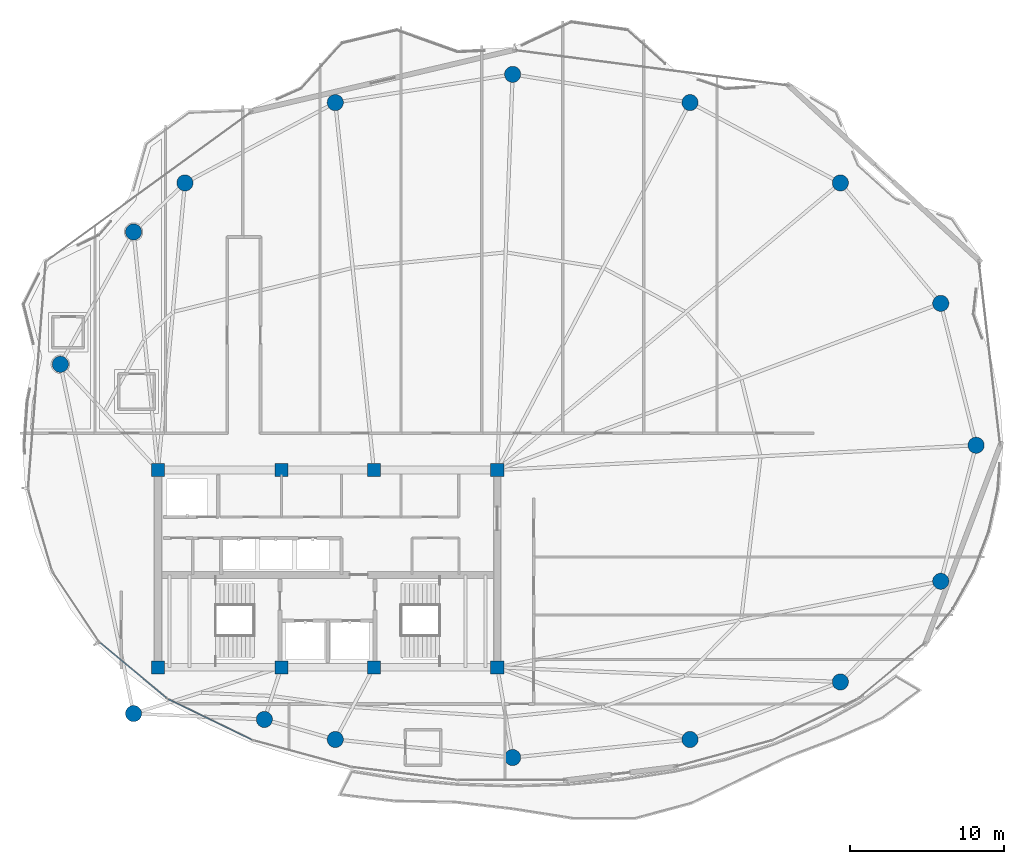
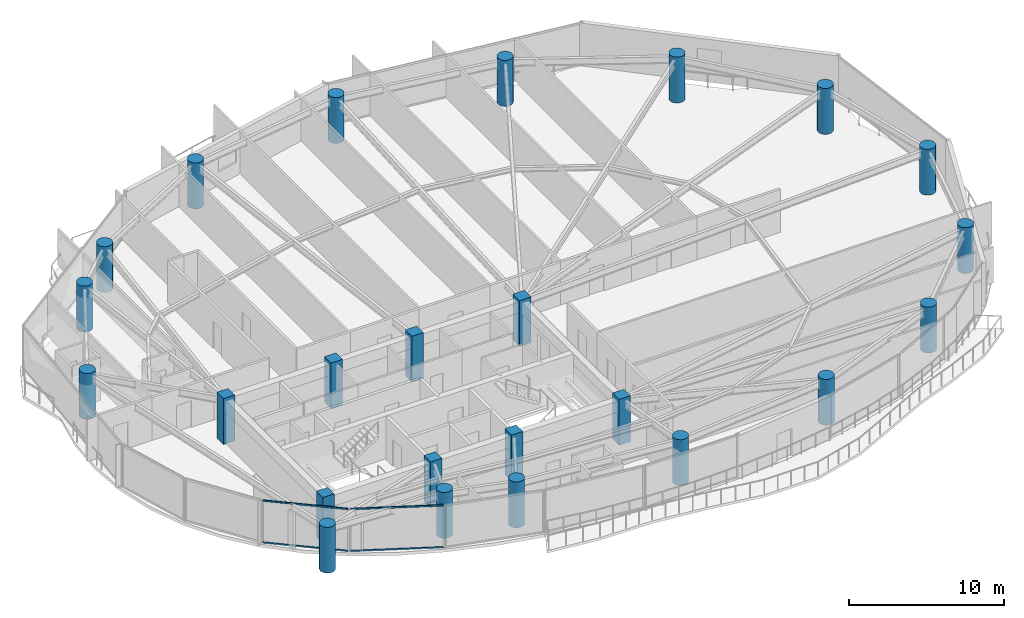
# One storey, part 1 of 31: 24 columns, 4 members, 2 elements without a shape of their own.
"""IFC4 building model written with IfcOpenShell, lengths in metres."""

from ifc_helpers import new_model, si_unit, direction, frame, origin, origin_2d, place, context, subcontext, project, spatial, rectangle, hollow_rectangle, circle, extrude, material, layer, layer_set, material_profile, profile_set, type_object, element, aggregate, save


model = new_model("IFC4")

# Units and contexts
model_context = context("Model", 3, precision=1e-05, world=origin(), true_north=direction((0.0, 1.0)))
body_context = subcontext(model_context, "Body", "Model", "MODEL_VIEW")
ifc_project = project(units=[si_unit("LENGTHUNIT", "METRE"), si_unit("AREAUNIT", "SQUARE_METRE"), si_unit("VOLUMEUNIT", "CUBIC_METRE"), si_unit("PLANEANGLEUNIT", "RADIAN"), si_unit("MASSUNIT", "GRAM", prefix="KILO")], contexts=[model_context])

# Site, building, storey
site_placement = place(None, origin())
site = spatial("IfcSite", under=ifc_project, at=site_placement, CompositionType="ELEMENT")
building_placement = place(site_placement, origin())
building = spatial("IfcBuilding", under=site, at=building_placement, Name="Kazevale Care Tower and Concert Hall", CompositionType="ELEMENT")
storey_placement = place(building_placement, frame((0.0, 0.0, 235.199951171875)))
storey = spatial("IfcBuildingStorey", under=building, at=storey_placement, Name="L62", CompositionType="ELEMENT", Elevation=235.199951171875)

# Columns
ifc_material_1 = material(Name="Concrete C50", Category="concrete")
ifc_material_profile_1 = material_profile(ifc_material_1, rectangle(XDim=0.85009765625, YDim=0.85009765625, at=origin_2d()), Name="RC-SQ850")
ifc_profile_set_1 = profile_set([ifc_material_profile_1], Name="Concrete C50")
column_type_1 = type_object("IfcColumnType", Name="Core Column SQ850 C50", PredefinedType="COLUMN", material=ifc_profile_set_1)
for number, where, z_axis, x_axis, name in (
    (1, (22.0, 23.60009765625, 0.0), (0.0, 0.0, 1.0), (1.0, 0.0, 0.0), "col:L62:CC-01"),
    (2, (30.0, 23.60009765625, 0.0), (0.0, 0.0, 1.0), (1.0, 0.0, 0.0), "col:L62:CC-02"),
    (3, (36.0, 23.60009765625, 0.0), (0.0, 0.0, 1.0), (1.0, 0.0, 0.0), "col:L62:CC-03"),
    (4, (44.0, 23.60009765625, 0.0), (0.0, 0.0, 1.0), (1.0, 0.0, 0.0), "col:L62:CC-04"),
    (5, (44.0, 36.39990234375, 0.0), (0.0, 0.0, 1.0), (1.0, 0.0, 0.0), "col:L62:CC-05"),
    (6, (36.0, 36.39990234375, 0.0), (0.0, 0.0, 1.0), (1.0, 0.0, 0.0), "col:L62:CC-06"),
    (7, (30.0, 36.39990234375, 0.0), (0.0, 0.0, 1.0), (1.0, 0.0, 0.0), "col:L62:CC-07"),
    (8, (22.0, 36.39990234375, 0.0), (0.0, 0.0, 1.0), (1.0, 0.0, 0.0), "col:L62:CC-08"),
):
    element("IfcColumn", number, at=place(storey_placement, frame(where, z_axis=z_axis, x_axis=x_axis)), inside=storey, type_object=column_type_1, Name=name, PredefinedType="COLUMN", context=body_context, shape_type="SweptSolid", body=[
        extrude(rectangle(XDim=0.85009765625, YDim=0.85009765625, at=origin_2d()), origin(), (0.0, 0.0, 1.0), 3.60009765625),
    ])
ifc_material_profile_2 = material_profile(ifc_material_1, circle(Radius=0.52490234375, at=origin_2d()), Name="RC-CIR1050")
ifc_profile_set_2 = profile_set([ifc_material_profile_2], Name="Concrete C50")
column_type_2 = type_object("IfcColumnType", Name="Perimeter Column CIR1050 C50", PredefinedType="COLUMN", material=ifc_profile_set_2)
for number, where, z_axis, x_axis, name in (
    (9, (75.050048828125, 38.0, 0.0), (0.0, 0.0, 1.0), (1.0, 0.0, 0.0), "col:L62:PC-01"),
    (10, (72.760009765625, 47.199951171875, 0.0), (0.0, 0.0, 1.0), (1.0, 0.0, 0.0), "col:L62:PC-02"),
    (11, (66.25, 55.010009765625, 0.0), (0.0, 0.0, 1.0), (1.0, 0.0, 0.0), "col:L62:PC-03"),
    (12, (56.5, 60.219970703125, 0.0), (0.0, 0.0, 1.0), (1.0, 0.0, 0.0), "col:L62:PC-04"),
    (13, (45.0, 62.050048828125, 0.0), (0.0, 0.0, 1.0), (1.0, 0.0, 0.0), "col:L62:PC-05"),
    (14, (33.5, 60.219970703125, 0.0), (0.0, 0.0, 1.0), (1.0, 0.0, 0.0), "col:L62:PC-06"),
    (15, (23.75, 55.010009765625, 0.0), (0.0, 0.0, 1.0), (1.0, 0.0, 0.0), "col:L62:PC-07"),
    (16, (20.419921875, 51.830078125, 0.0), (0.0, 0.0, 1.0), (1.0, 0.0, 0.0), "col:L62:PC-08"),
    (17, (15.669921875, 43.25, 0.0), (0.0, 0.0, 1.0), (1.0, 0.0, 0.0), "col:L62:PC-09"),
    (18, (20.419921875, 20.60009765625, 0.0), (0.0, 0.0, 1.0), (1.0, 0.0, 0.0), "col:L62:PC-10"),
    (19, (28.89990234375, 20.219970703125, 0.0), (0.0, 0.0, 1.0), (1.0, 0.0, 0.0), "col:L62:PC-11"),
    (20, (33.5, 18.919921875, 0.0), (0.0, 0.0, 1.0), (1.0, 0.0, 0.0), "col:L62:PC-12"),
    (21, (45.0, 17.75, 0.0), (0.0, 0.0, 1.0), (1.0, 0.0, 0.0), "col:L62:PC-13"),
    (22, (56.5, 18.919921875, 0.0), (0.0, 0.0, 1.0), (1.0, 0.0, 0.0), "col:L62:PC-14"),
    (23, (66.25, 22.64990234375, 0.0), (0.0, 0.0, 1.0), (1.0, 0.0, 0.0), "col:L62:PC-15"),
    (24, (72.760009765625, 29.179931640625, 0.0), (0.0, 0.0, 1.0), (1.0, 0.0, 0.0), "col:L62:PC-16"),
):
    element("IfcColumn", number, at=place(storey_placement, frame(where, z_axis=z_axis, x_axis=x_axis)), inside=storey, type_object=column_type_2, Name=name, PredefinedType="COLUMN", context=body_context, shape_type="SweptSolid", body=[
        extrude(circle(Radius=0.52490234375, at=origin_2d()), origin(), (0.0, 0.0, 1.0), 3.60009765625),
    ])

# Curtain wall, members
ifc_material_2 = material(Name="Aluminium 6063-T6 and Low-E Glass", Category="aluminium")
ifc_layer = layer(ifc_material_2, 0.179931640625)
ifc_layer_set = layer_set([ifc_layer], Name="Aluminium 6063-T6 and Low-E Glass")
curtain_wall_type = type_object("IfcCurtainWallType", Name="Sheltered Concave Balcony Curtain Wall CW-5", PredefinedType="NOTDEFINED", material=ifc_layer_set)
curtain_wall_1_placement = place(storey_placement, origin())
curtain_wall_1 = element("IfcCurtainWall", 25, at=curtain_wall_1_placement, inside=storey, type_object=curtain_wall_type, Name="cw:L62:f09", PredefinedType="NOTDEFINED")
ifc_material_3 = material(Name="Aluminium 6063-T6", Category="aluminium")
ifc_material_profile_3 = material_profile(ifc_material_3, hollow_rectangle(XDim=0.074951171875, YDim=0.1201171875, WallThickness=0.00390625, at=origin_2d()), Name="ALU75x120x4")
ifc_profile_set_3 = profile_set([ifc_material_profile_3], Name="Aluminium 6063-T6")
member_type = type_object("IfcMemberType", Name="CW-5 Transom ALU75x120x4", PredefinedType="USERDEFINED", material=ifc_profile_set_3)
member_1_placement = place(storey_placement, frame((28.07666015625, 18.90576171875, 0.03759765625), z_axis=(-0.899342308406, 0.437245254189, 0.0), x_axis=(-0.437245254189, -0.899342308406, 0.0)))
member_1 = element("IfcMember", 26, at=member_1_placement, type_object=member_type, Name="CW-5 transom 1.1", ObjectType="TRANSOM", PredefinedType="USERDEFINED", context=body_context, shape_type="SweptSolid", body=[
    extrude(hollow_rectangle(XDim=0.074951171875, YDim=0.1201171875, WallThickness=0.00390625, at=origin_2d()), origin(), (0.0, 0.0, 1.0), 6.00244140625),
])
member_2_placement = place(storey_placement, frame((28.07666015625, 18.90576171875, 3.322509765625), z_axis=(-0.899342308406, 0.437245254189, 0.0), x_axis=(-0.437245254189, -0.899342308406, 0.0)))
member_2 = element("IfcMember", 27, at=member_2_placement, type_object=member_type, Name="CW-5 transom 1.2", ObjectType="TRANSOM", PredefinedType="USERDEFINED", context=body_context, shape_type="SweptSolid", body=[
    extrude(hollow_rectangle(XDim=0.074951171875, YDim=0.1201171875, WallThickness=0.00390625, at=origin_2d()), origin(), (0.0, 0.0, 1.0), 6.00244140625),
])
aggregate(curtain_wall_1, [member_1, member_2])

curtain_wall_2_placement = place(storey_placement, origin())
curtain_wall_2 = element("IfcCurtainWall", 28, at=curtain_wall_2_placement, inside=storey, type_object=curtain_wall_type, Name="cw:L62:f10", PredefinedType="NOTDEFINED")
member_3_placement = place(storey_placement, frame((22.553466796875, 21.611083984375, 0.03759765625), z_axis=(-0.768432829708, 0.639930454211, 0.0), x_axis=(-0.639930454211, -0.768432829708, 0.0)))
member_3 = element("IfcMember", 29, at=member_3_placement, type_object=member_type, Name="CW-5 transom 1.1", ObjectType="TRANSOM", PredefinedType="USERDEFINED", context=body_context, shape_type="SweptSolid", body=[
    extrude(hollow_rectangle(XDim=0.074951171875, YDim=0.1201171875, WallThickness=0.00390625, at=origin_2d()), origin(), (0.0, 0.0, 1.0), 5.580078125),
])
member_4_placement = place(storey_placement, frame((22.553466796875, 21.611083984375, 3.322509765625), z_axis=(-0.768432829708, 0.639930454211, 0.0), x_axis=(-0.639930454211, -0.768432829708, 0.0)))
member_4 = element("IfcMember", 30, at=member_4_placement, type_object=member_type, Name="CW-5 transom 1.2", ObjectType="TRANSOM", PredefinedType="USERDEFINED", context=body_context, shape_type="SweptSolid", body=[
    extrude(hollow_rectangle(XDim=0.074951171875, YDim=0.1201171875, WallThickness=0.00390625, at=origin_2d()), origin(), (0.0, 0.0, 1.0), 5.580078125),
])
aggregate(curtain_wall_2, [member_3, member_4])

save(model, "model.ifc")
